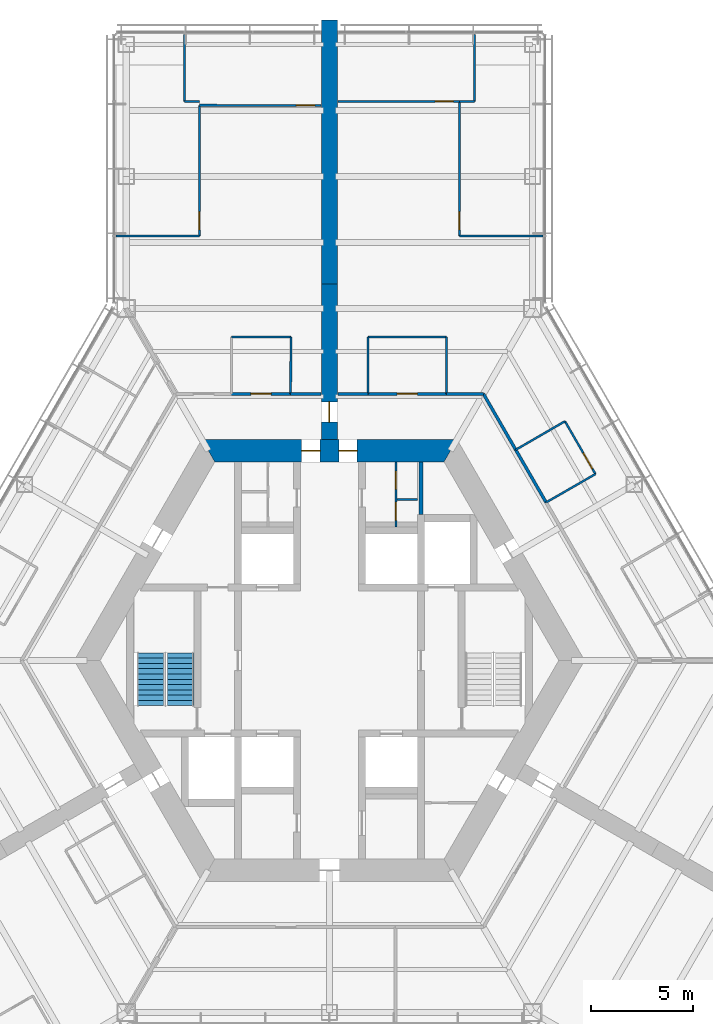
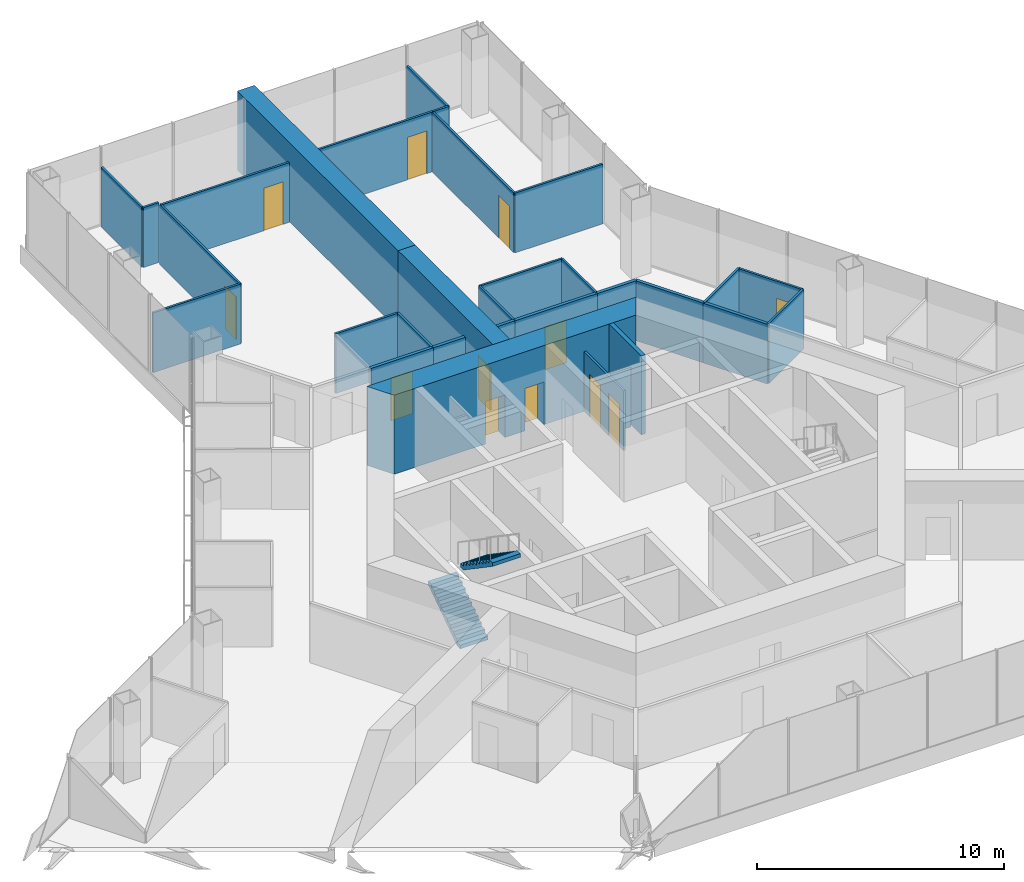
# One storey, part 15 of 18: 31 walls, 12 doors, 2 stair flights, 12 openings, 1 element without a shape of its own.
"""IFC4 building model written with IfcOpenShell, lengths in metres."""

import ifcopenshell
import ifcopenshell.guid

model = None  # the IFC model being written
_history = None  # IfcOwnerHistory: only IFC2X3 demands one
_inside = {}  # id of a spatial element -> (the spatial element, [elements in it])
_under = {}  # id of a project, library or spatial element -> (it, [spatial elements below it])
_declared = {}  # id of a project -> (the project, [libraries it declares])
_typed = {}  # id of a type object -> (the type object, [elements of that type])
_made_of = {}  # id of a material, layer set ... -> (it, [elements and type objects made of it])


def new_model(schema):
    """Start an empty IFC model of exactly this schema.

    Asked for "IFC4X3", IfcOpenShell would pick the latest addendum, in which some entities
    have other attributes; the version numbers below select the first issue.
    IFC2X3 requires an IfcOwnerHistory on every rooted entity: one is made here for all.
    """
    global model, _history
    if schema == "IFC4X3":
        model = ifcopenshell.file(schema_version=(4, 3, 0, 0))
    else:
        model = ifcopenshell.file(schema=schema)
    _inside.clear()
    _under.clear()
    _declared.clear()
    _typed.clear()
    _made_of.clear()
    _history = None
    if model.schema == "IFC2X3":
        org = make("IfcOrganization", Name="unknown")
        user = make(
            "IfcPersonAndOrganization",
            ThePerson=make("IfcPerson", FamilyName="unknown"),
            TheOrganization=org,
        )
        app = make(
            "IfcApplication",
            ApplicationDeveloper=org,
            Version="unknown",
            ApplicationFullName="unknown",
            ApplicationIdentifier="unknown",
        )
        _history = make(
            "IfcOwnerHistory",
            OwningUser=user,
            OwningApplication=app,
            ChangeAction="ADDED",
            CreationDate=0,
        )
    return model


def make(cls, **values):
    """One entity of the class cls with the attributes given. An attribute that is None is left unset."""
    return model.create_entity(
        cls, **{name: value for name, value in values.items() if value is not None}
    )


def rooted(cls, **values):
    """An entity with a GlobalId (a new one), such as an element, a storey or a relation."""
    return make(cls, GlobalId=ifcopenshell.guid.new(), OwnerHistory=_history, **values)


def si_unit(unit_type, name, prefix=None):
    """IfcSIUnit, for example si_unit("LENGTHUNIT", "METRE", prefix="MILLI")."""
    return make("IfcSIUnit", UnitType=unit_type, Prefix=prefix, Name=name)


def assignment(units):
    """IfcUnitAssignment: the units of a project."""
    return None if units is None else make("IfcUnitAssignment", Units=units)


def point(xyz):
    """IfcCartesianPoint."""
    return None if xyz is None else make("IfcCartesianPoint", Coordinates=xyz)


def direction(xyz):
    """IfcDirection."""
    return None if xyz is None else make("IfcDirection", DirectionRatios=xyz)


def frame(location, z_axis=None, x_axis=None):
    """IfcAxis2Placement3D, a coordinate frame: its origin and axes. An axis left out is left unset."""
    return make(
        "IfcAxis2Placement3D",
        Location=point(location),
        Axis=direction(z_axis),
        RefDirection=direction(x_axis),
    )


def frame_2d(location, x_axis=None):
    """IfcAxis2Placement2D, a coordinate frame in the plane: its origin and x axis."""
    return make(
        "IfcAxis2Placement2D", Location=point(location), RefDirection=direction(x_axis)
    )


def origin():
    """The frame at (0, 0, 0) with its axes left unset."""
    return frame((0.0, 0.0, 0.0))


def place(relative_to, where):
    """IfcLocalPlacement: puts the frame where relative to a parent placement (None: the world)."""
    return make(
        "IfcLocalPlacement", PlacementRelTo=relative_to, RelativePlacement=where
    )


def context(
    kind, dimensions, precision=None, world=None, true_north=None, identifier=None
):
    """IfcGeometricRepresentationContext, for example the 3D "Model" context."""
    return make(
        "IfcGeometricRepresentationContext",
        ContextIdentifier=identifier,
        ContextType=kind,
        CoordinateSpaceDimension=dimensions,
        Precision=precision,
        WorldCoordinateSystem=world,
        TrueNorth=true_north,
    )


def subcontext(parent, identifier, kind, view, scale=None):
    """IfcGeometricRepresentationSubContext, for example "Body" below "Model"."""
    return make(
        "IfcGeometricRepresentationSubContext",
        ContextIdentifier=identifier,
        ContextType=kind,
        ParentContext=parent,
        TargetScale=scale,
        TargetView=view,
    )


def project(units=None, contexts=None):
    """IfcProject with its units and contexts."""
    return rooted(
        "IfcProject",
        Name="project",
        RepresentationContexts=contexts,
        UnitsInContext=assignment(units),
    )


def spatial(cls, under=None, at=None, **own):
    """A site, building, storey or space (cls), placed at a placement, below another one or the project."""
    s = rooted(cls, ObjectPlacement=at, **own)
    if under is not None:
        _under.setdefault(under.id(), (under, []))[1].append(s)
    return s


def polyline(points):
    """IfcPolyline through the points."""
    return make("IfcPolyline", Points=[point(p) for p in points])


def profile(cls, at=None, kind="AREA", **sizes):
    """A parametric profile (cls). Its sizes go by their IFC names, for example OverallWidth=200.0."""
    return make(cls, ProfileType=kind, Position=at, **sizes)


def rectangle(**sizes):
    """IfcRectangleProfileDef."""
    return profile("IfcRectangleProfileDef", **sizes)


def outline(outer, holes=None, kind="AREA"):
    """IfcArbitraryClosedProfileDef: a profile drawn as a closed curve; with holes, ...WithVoids."""
    if holes is None:
        return make("IfcArbitraryClosedProfileDef", ProfileType=kind, OuterCurve=outer)
    return make(
        "IfcArbitraryProfileDefWithVoids",
        ProfileType=kind,
        OuterCurve=outer,
        InnerCurves=holes,
    )


def extrude(swept, where, along, depth):
    """IfcExtrudedAreaSolid: the profile swept, set in the frame where, extruded along a direction by depth."""
    return make(
        "IfcExtrudedAreaSolid",
        SweptArea=swept,
        Position=where,
        ExtrudedDirection=direction(along),
        Depth=depth,
    )


def shape(context_of_items, identifier, shape_type, items):
    """IfcShapeRepresentation: the items that make up one representation, for example the "Body"."""
    return make(
        "IfcShapeRepresentation",
        ContextOfItems=context_of_items,
        RepresentationIdentifier=identifier,
        RepresentationType=shape_type,
        Items=items,
    )


def material(Name=None, Category=None):
    """IfcMaterial."""
    return make("IfcMaterial", Name=Name, Category=Category)


def layer(
    of_material, thickness, ventilated=None, Name=None, Category=None, Priority=None
):
    """IfcMaterialLayer: one layer of a wall or slab, of a material (None: an air gap)."""
    return make(
        "IfcMaterialLayer",
        Material=of_material,
        LayerThickness=thickness,
        IsVentilated=ventilated,
        Name=Name,
        Category=Category,
        Priority=Priority,
    )


def layer_set(layers, Name=None):
    """IfcMaterialLayerSet."""
    return make("IfcMaterialLayerSet", MaterialLayers=layers, LayerSetName=Name)


def made_of(thing, what):
    """Note that an element or type object is made of a material, layer set ...; save() writes the relation."""
    if what is not None:
        _made_of.setdefault(what.id(), (what, []))[1].append(thing)
    return thing


def type_object(cls, material=None, **own):
    """A type object (cls), such as IfcWallType, which elements share."""
    return made_of(rooted(cls, **own), material)


def element(
    cls,
    number,
    at=None,
    inside=None,
    cuts=None,
    type_object=None,
    material=None,
    context=None,
    identifier="Body",
    shape_type=None,
    held_by="IfcProductDefinitionShape",
    body=None,
    shapes=None,
    **own,
):
    """One element of the class cls, such as IfcWall. Its Tag is "e" and its number.

    at: its placement. inside: the storey or other place that contains it. cuts: it is an
    opening in that element (IfcRelVoidsElement). A single representation is given by context,
    identifier, shape_type and body (its items); several are given by shapes. held_by: the class
    of the entity that holds the representations. save() writes the other relations.
    """
    e = rooted(cls, Tag="e%d" % number, ObjectPlacement=at, **own)
    if body is not None:
        shapes = [shape(context, identifier, shape_type, body)]
    if shapes is not None:
        e.Representation = make(held_by, Representations=shapes)
    if inside is not None:
        _inside.setdefault(inside.id(), (inside, []))[1].append(e)
    if cuts is not None:
        rooted(
            "IfcRelVoidsElement", RelatingBuildingElement=cuts, RelatedOpeningElement=e
        )
    if type_object is not None:
        _typed.setdefault(type_object.id(), (type_object, []))[1].append(e)
    return made_of(e, material)


def fill(opening, filler):
    """IfcRelFillsElement: the door or window that sits in an opening."""
    return rooted(
        "IfcRelFillsElement",
        RelatingOpeningElement=opening,
        RelatedBuildingElement=filler,
    )


def aggregate(whole, parts):
    """IfcRelAggregates: a whole, such as a stair, and the parts it consists of."""
    return rooted("IfcRelAggregates", RelatingObject=whole, RelatedObjects=parts)


def save(model, path):
    """Write the relations noted so far, then the file.

    IfcRelAggregates (storeys below a building ...), IfcRelContainedInSpatialStructure (elements
    in a storey), IfcRelDefinesByType, IfcRelAssociatesMaterial and IfcRelDeclares: one each for
    every whole, place, type object, material and project.
    """
    for whole, parts in _under.values():
        aggregate(whole, parts)
    for where, things in _inside.values():
        rooted(
            "IfcRelContainedInSpatialStructure",
            RelatedElements=things,
            RelatingStructure=where,
        )
    for kind, things in _typed.values():
        rooted("IfcRelDefinesByType", RelatedObjects=things, RelatingType=kind)
    for what, things in _made_of.values():
        rooted("IfcRelAssociatesMaterial", RelatedObjects=things, RelatingMaterial=what)
    for by, libraries in _declared.values():
        rooted("IfcRelDeclares", RelatingContext=by, RelatedDefinitions=libraries)
    model.write(path)


model = new_model("IFC4")

# Units and contexts
model_context = context("Model", 3, precision=1e-05, world=origin(), true_north=direction((0.0, 1.0)))
body_context = subcontext(model_context, "Body", "Model", "MODEL_VIEW")
ifc_project = project(units=[si_unit("LENGTHUNIT", "METRE"), si_unit("AREAUNIT", "SQUARE_METRE"), si_unit("VOLUMEUNIT", "CUBIC_METRE"), si_unit("PLANEANGLEUNIT", "RADIAN"), si_unit("MASSUNIT", "GRAM", prefix="KILO")], contexts=[model_context])

# Site, building, storey
site_placement = place(None, origin())
site = spatial("IfcSite", under=ifc_project, at=site_placement, CompositionType="ELEMENT")
building_placement = place(site_placement, origin())
building = spatial("IfcBuilding", under=site, at=building_placement, Name="Kasaneha Research Tower", CompositionType="ELEMENT")
storey_placement = place(building_placement, frame((0.0, 0.0, 61.199951171875)))
storey = spatial("IfcBuildingStorey", under=building, at=storey_placement, Name="L15", CompositionType="ELEMENT", Elevation=61.199951171875)

# Wall, openings, doors
ifc_material_1 = material(Name="Concrete Fc80", Category="concrete")
ifc_layer_1 = layer(ifc_material_1, 1.10009765625)
ifc_layer_set_1 = layer_set([ifc_layer_1], Name="Core wall 1100 Fc80")
wall_type_1 = type_object("IfcWallType", Name="Core wall 1100 Fc80", PredefinedType="SHEAR", material=ifc_layer_set_1)
wall_1_placement = place(storey_placement, frame((5.961181640625, 10.324951171875, 0.0), z_axis=(0.0, 0.0, 1.0), x_axis=(-1.0, 0.0, 0.0)))
wall_1 = element("IfcWall", 1, at=wall_1_placement, inside=storey, type_object=wall_type_1, Name="Core wall 090 L15", PredefinedType="SHEAR", context=body_context, shape_type="SweptSolid", body=[
    extrude(outline(polyline([(-0.317626953125, -0.550048828125), (4.5986328125, -0.550048828125), (5.49853515625, -0.550048828125), (6.423583984375, -0.550048828125), (7.323486328125, -0.550048828125), (12.239990234375, -0.550048828125), (11.604736328125, 0.550048828125), (7.323486328125, 0.550048828125), (6.423583984375, 0.550048828125), (5.49853515625, 0.550048828125), (4.5986328125, 0.550048828125), (0.317626953125, 0.550048828125), (-0.317626953125, -0.550048828125)])), origin(), (0.0, 0.0, 1.0), 3.900146484375),
])
opening_1_placement = place(wall_1_placement, frame((6.423583984375, 0.0, 0.0)))
opening_1 = element("IfcOpeningElement", 2, at=opening_1_placement, cuts=wall_1, Name="Opening L15-D01", PredefinedType="OPENING", context=body_context, shape_type="SweptSolid", body=[
    extrude(rectangle(XDim=0.89990234375, YDim=2.10009765625, at=frame_2d((0.449951171875, 1.050048828125))), frame((0.0, 0.56005859375, 0.0), z_axis=(0.0, -1.0, 0.0), x_axis=(1.0, 0.0, 0.0)), (0.0, 0.0, 1.0), 1.1201171875),
])
opening_2_placement = place(wall_1_placement, frame((4.5986328125, 0.0, 0.0)))
opening_2 = element("IfcOpeningElement", 3, at=opening_2_placement, cuts=wall_1, Name="Opening L15-D02", PredefinedType="OPENING", context=body_context, shape_type="SweptSolid", body=[
    extrude(rectangle(XDim=0.89990234375, YDim=2.10009765625, at=frame_2d((0.449951171875, 1.050048828125))), frame((0.0, 0.56005859375, 0.0), z_axis=(0.0, -1.0, 0.0), x_axis=(1.0, 0.0, 0.0)), (0.0, 0.0, 1.0), 1.1201171875),
])
ifc_material_2 = material(Name="Steel", Category="steel")
door_type_1 = type_object("IfcDoorType", Name="Toilet door FD20 900x2100", OperationType="NOTDEFINED", PredefinedType="DOOR", material=ifc_material_2)
door_1_placement = place(opening_1_placement, origin())
door_1 = element("IfcDoor", 4, at=door_1_placement, inside=storey, type_object=door_type_1, Name="Core door north 1 L15-D01", OperationType="SINGLE_SWING_RIGHT", OverallHeight=2.10009765625, OverallWidth=0.89990234375, PredefinedType="DOOR", context=body_context, shape_type="SweptSolid", body=[
    extrude(rectangle(XDim=0.89990234375, YDim=2.10009765625, at=frame_2d((0.449951171875, 1.050048828125))), frame((0.0, 0.02490234375, 0.0), z_axis=(0.0, -1.0, 0.0), x_axis=(1.0, 0.0, 0.0)), (0.0, 0.0, 1.0), 0.050048828125),
])
fill(opening_1, door_1)
door_2_placement = place(opening_2_placement, origin())
door_2 = element("IfcDoor", 5, at=door_2_placement, inside=storey, type_object=door_type_1, Name="Core door north 2 L15-D02", OperationType="SINGLE_SWING_LEFT", OverallHeight=2.10009765625, OverallWidth=0.89990234375, PredefinedType="DOOR", context=body_context, shape_type="SweptSolid", body=[
    extrude(rectangle(XDim=0.89990234375, YDim=2.10009765625, at=frame_2d((0.449951171875, 1.050048828125))), frame((0.0, 0.02490234375, 0.0), z_axis=(0.0, -1.0, 0.0), x_axis=(1.0, 0.0, 0.0)), (0.0, 0.0, 1.0), 0.050048828125),
])
fill(opening_2, door_2)

ifc_material_3 = material(Name="Gypsum board on steel studs, one layer each side", Category="steel")
ifc_layer_2 = layer(ifc_material_3, 0.10009765625)
ifc_layer_set_2 = layer_set([ifc_layer_2], Name="Office partition 100")
wall_type_2 = type_object("IfcWallType", Name="Office partition 100", PredefinedType="PARTITIONING", material=ifc_layer_set_2)
wall_2_placement = place(storey_placement, frame((3.27490234375, 6.574951171875, 0.0), z_axis=(0.0, 0.0, 1.0), x_axis=(0.0, 1.0, 0.0)))
wall_2 = element("IfcWall", 6, at=wall_2_placement, inside=storey, type_object=wall_type_2, Name="Office partition TBF1 L15", PredefinedType="PARTITIONING", context=body_context, shape_type="SweptSolid", body=[
    extrude(rectangle(XDim=3.199951171875, YDim=0.10009765625, at=frame_2d((1.60009765625, 0.0))), origin(), (0.0, 0.0, 1.0), 2.949951171875),
])
opening_3_placement = place(wall_2_placement, frame((1.85009765625, 0.0, 0.0)))
opening_3 = element("IfcOpeningElement", 7, at=opening_3_placement, cuts=wall_2, Name="Opening L15-D22", PredefinedType="OPENING", context=body_context, shape_type="SweptSolid", body=[
    extrude(rectangle(XDim=0.89990234375, YDim=2.10009765625, at=frame_2d((0.449951171875, 1.050048828125))), frame((0.0, 0.06005859375, 0.0), z_axis=(0.0, -1.0, 0.0), x_axis=(1.0, 0.0, 0.0)), (0.0, 0.0, 1.0), 0.1201171875),
])
opening_4_placement = place(wall_2_placement, frame((0.324951171875, 0.0, 0.0)))
opening_4 = element("IfcOpeningElement", 8, at=opening_4_placement, cuts=wall_2, Name="Opening L15-D23", PredefinedType="OPENING", context=body_context, shape_type="SweptSolid", body=[
    extrude(rectangle(XDim=0.89990234375, YDim=2.10009765625, at=frame_2d((0.449951171875, 1.050048828125))), frame((0.0, 0.06005859375, 0.0), z_axis=(0.0, -1.0, 0.0), x_axis=(1.0, 0.0, 0.0)), (0.0, 0.0, 1.0), 0.1201171875),
])
ifc_material_4 = material(Name="Steel", Category="steel")
door_type_2 = type_object("IfcDoorType", Name="Toilet lobby door FD30 900x2100", OperationType="NOTDEFINED", PredefinedType="DOOR", material=ifc_material_4)
door_3_placement = place(opening_3_placement, origin())
door_3 = element("IfcDoor", 9, at=door_3_placement, inside=storey, type_object=door_type_2, Name="Women's WC door L15-D22", OperationType="SINGLE_SWING_RIGHT", OverallHeight=2.10009765625, OverallWidth=0.89990234375, PredefinedType="DOOR", context=body_context, shape_type="SweptSolid", body=[
    extrude(rectangle(XDim=0.89990234375, YDim=2.10009765625, at=frame_2d((0.449951171875, 1.050048828125))), frame((0.0, 0.02490234375, 0.0), z_axis=(0.0, -1.0, 0.0), x_axis=(1.0, 0.0, 0.0)), (0.0, 0.0, 1.0), 0.050048828125),
])
fill(opening_3, door_3)
door_4_placement = place(opening_4_placement, origin())
door_4 = element("IfcDoor", 10, at=door_4_placement, inside=storey, type_object=door_type_2, Name="Cleaner's store door L15-D23", OperationType="SINGLE_SWING_RIGHT", OverallHeight=2.10009765625, OverallWidth=0.89990234375, PredefinedType="DOOR", context=body_context, shape_type="SweptSolid", body=[
    extrude(rectangle(XDim=0.89990234375, YDim=2.10009765625, at=frame_2d((0.449951171875, 1.050048828125))), frame((0.0, 0.02490234375, 0.0), z_axis=(0.0, -1.0, 0.0), x_axis=(1.0, 0.0, 0.0)), (0.0, 0.0, 1.0), 0.050048828125),
])
fill(opening_4, door_4)

# Walls
wall_3_placement = place(storey_placement, frame((3.324951171875, 7.925048828125, 0.0), z_axis=(0.0, 0.0, 1.0), x_axis=(1.0, 0.0, 0.0)))
element("IfcWall", 11, at=wall_3_placement, inside=storey, type_object=wall_type_2, Name="Office partition TBF2 L15", PredefinedType="PARTITIONING", context=body_context, shape_type="SweptSolid", body=[
    extrude(rectangle(XDim=1.0, YDim=0.10009765625, at=frame_2d((0.5, 0.0))), origin(), (0.0, 0.0, 1.0), 2.949951171875),
])
wall_4_placement = place(storey_placement, frame((1.89990234375, 15.925048828125, 0.0), z_axis=(0.0, 0.0, 1.0), x_axis=(1.0, 0.0, 0.0)))
element("IfcWall", 12, at=wall_4_placement, inside=storey, type_object=wall_type_2, Name="Office partition FAE07 L15", PredefinedType="PARTITIONING", context=body_context, shape_type="SweptSolid", body=[
    extrude(rectangle(XDim=3.857177734375, YDim=0.10009765625, at=frame_2d((1.9287109375, 0.0))), origin(), (0.0, 0.0, 1.0), 2.949951171875),
])
for number, where, z_axis, x_axis, name in (
    (13, (1.904541015625, 13.125, 0.0), (0.0, 0.0, 1.0), (-0.001656637364, 0.999998627775, 0.0), "Office partition FAE08 L15"),
    (14, (5.757080078125, 15.925048828125, 0.0), (0.0, 0.0, 1.0), (-0.001656637364, -0.999998627775, 0.0), "Office partition FAE09 L15"),
    (15, (9.168701171875, 10.369140625, 0.0), (0.0, 0.0, 1.0), (0.865255114713, 0.501331812737, 0.0), "Office partition FAE10 L15"),
):
    element("IfcWall", number, at=place(storey_placement, frame(where, z_axis=z_axis, x_axis=x_axis)), inside=storey, type_object=wall_type_2, Name=name, PredefinedType="PARTITIONING", context=body_context, shape_type="SweptSolid", body=[
        extrude(rectangle(XDim=2.800048828125, YDim=0.10009765625, at=frame_2d((1.39990234375, 0.0))), origin(), (0.0, 0.0, 1.0), 2.949951171875),
    ])

# Wall, opening, door
wall_5_placement = place(storey_placement, frame((11.591552734375, 11.77294921875, 0.0), z_axis=(0.0, 0.0, 1.0), x_axis=(0.499990139034, -0.866031096941, 0.0)))
wall_5 = element("IfcWall", 16, at=wall_5_placement, inside=storey, type_object=wall_type_2, Name="Office partition FAE11 L15", PredefinedType="PARTITIONING", context=body_context, shape_type="SweptSolid", body=[
    extrude(rectangle(XDim=3.0, YDim=0.10009765625, at=frame_2d((1.5, 0.0))), origin(), (0.0, 0.0, 1.0), 2.949951171875),
])
opening_5_placement = place(wall_5_placement, frame((1.800048828125, 0.0, 0.0)))
opening_5 = element("IfcOpeningElement", 17, at=opening_5_placement, cuts=wall_5, Name="Opening L15-D30", PredefinedType="OPENING", context=body_context, shape_type="SweptSolid", body=[
    extrude(rectangle(XDim=0.89990234375, YDim=2.10009765625, at=frame_2d((0.449951171875, 1.050048828125))), frame((0.0, 0.06005859375, 0.0), z_axis=(0.0, -1.0, 0.0), x_axis=(1.0, 0.0, 0.0)), (0.0, 0.0, 1.0), 0.1201171875),
])
ifc_material_5 = material(Name="Timber veneer", Category="wood")
door_type_3 = type_object("IfcDoorType", Name="Office door 900x2100", OperationType="SINGLE_SWING_LEFT", PredefinedType="DOOR", material=ifc_material_5)
door_5_placement = place(opening_5_placement, origin())
door_5 = element("IfcDoor", 18, at=door_5_placement, inside=storey, type_object=door_type_3, Name="Pantry door L15-D30", OperationType="SINGLE_SWING_RIGHT", OverallHeight=2.10009765625, OverallWidth=0.89990234375, PredefinedType="DOOR", context=body_context, shape_type="SweptSolid", body=[
    extrude(rectangle(XDim=0.89990234375, YDim=2.10009765625, at=frame_2d((0.449951171875, 1.050048828125))), frame((0.0, 0.02490234375, 0.0), z_axis=(0.0, -1.0, 0.0), x_axis=(1.0, 0.0, 0.0)), (0.0, 0.0, 1.0), 0.050048828125),
])
fill(opening_5, door_5)

# Walls
wall_6_placement = place(storey_placement, frame((13.091552734375, 9.1748046875, 0.0), z_axis=(0.0, 0.0, 1.0), x_axis=(-0.866855433567, -0.498559582492, 0.0)))
element("IfcWall", 19, at=wall_6_placement, inside=storey, type_object=wall_type_2, Name="Office partition FAE12 L15", PredefinedType="PARTITIONING", context=body_context, shape_type="SweptSolid", body=[
    extrude(rectangle(XDim=2.800048828125, YDim=0.10009765625, at=frame_2d((1.39990234375, 0.0))), origin(), (0.0, 0.0, 1.0), 2.949951171875),
])
wall_7_placement = place(storey_placement, frame((6.39892578125, 27.515380859375, 0.0), z_axis=(0.0, 0.0, 1.0), x_axis=(0.999975631037, 0.00698121285, 0.0)))
element("IfcWall", 20, at=wall_7_placement, inside=storey, type_object=wall_type_2, Name="Office partition FAE13 L15", PredefinedType="PARTITIONING", context=body_context, shape_type="SweptSolid", body=[
    extrude(rectangle(XDim=0.734375, YDim=0.10009765625, at=frame_2d((0.3671875, 0.0))), origin(), (0.0, 0.0, 1.0), 2.949951171875),
])
wall_8_placement = place(storey_placement, frame((7.13330078125, 27.5205078125, 0.0), z_axis=(0.0, 0.0, 1.0), x_axis=(0.000148864903, 0.99999998892, 0.0)))
element("IfcWall", 21, at=wall_8_placement, inside=storey, type_object=wall_type_2, Name="Office partition FAE14 L15", PredefinedType="PARTITIONING", context=body_context, shape_type="SweptSolid", body=[
    extrude(rectangle(XDim=3.280029296875, YDim=0.10009765625, at=frame_2d((1.64013671875, 0.0))), origin(), (0.0, 0.0, 1.0), 2.949951171875),
])

# Wall, opening, door
wall_9_placement = place(storey_placement, frame((6.39990234375, 20.89111328125, 0.0), z_axis=(0.0, 0.0, 1.0), x_axis=(0.000626104768, 0.999999803996, 0.0)))
wall_9 = element("IfcWall", 22, at=wall_9_placement, inside=storey, type_object=wall_type_2, Name="Office partition FAE15 L15", PredefinedType="PARTITIONING", context=body_context, shape_type="SweptSolid", body=[
    extrude(rectangle(XDim=6.62890625, YDim=0.10009765625, at=frame_2d((3.314453125, 0.0))), origin(), (0.0, 0.0, 1.0), 2.949951171875),
])
opening_6_placement = place(wall_9_placement, frame((0.300048828125, 0.0, 0.0)))
opening_6 = element("IfcOpeningElement", 23, at=opening_6_placement, cuts=wall_9, Name="Opening L15-D31", PredefinedType="OPENING", context=body_context, shape_type="SweptSolid", body=[
    extrude(rectangle(XDim=0.89990234375, YDim=2.10009765625, at=frame_2d((0.449951171875, 1.050048828125))), frame((0.0, 0.06005859375, 0.0), z_axis=(0.0, -1.0, 0.0), x_axis=(1.0, 0.0, 0.0)), (0.0, 0.0, 1.0), 0.1201171875),
])
door_6_placement = place(opening_6_placement, origin())
door_6 = element("IfcDoor", 24, at=door_6_placement, inside=storey, type_object=door_type_3, Name="Project room door L15-D31", OperationType="SINGLE_SWING_LEFT", OverallHeight=2.10009765625, OverallWidth=0.89990234375, PredefinedType="DOOR", context=body_context, shape_type="SweptSolid", body=[
    extrude(rectangle(XDim=0.89990234375, YDim=2.10009765625, at=frame_2d((0.449951171875, 1.050048828125))), frame((0.0, 0.02490234375, 0.0), z_axis=(0.0, -1.0, 0.0), x_axis=(1.0, 0.0, 0.0)), (0.0, 0.0, 1.0), 0.050048828125),
])
fill(opening_6, door_6)

# Wall
wall_10_placement = place(storey_placement, frame((10.5, 20.89111328125, 0.0), z_axis=(0.0, 0.0, 1.0), x_axis=(-1.0, 0.0, 0.0)))
element("IfcWall", 25, at=wall_10_placement, inside=storey, type_object=wall_type_2, Name="Office partition FAE16 L15", PredefinedType="PARTITIONING", context=body_context, shape_type="SweptSolid", body=[
    extrude(rectangle(XDim=4.10009765625, YDim=0.10009765625, at=frame_2d((2.050048828125, 0.0))), origin(), (0.0, 0.0, 1.0), 2.949951171875),
])

# Wall, opening, door
wall_11_placement = place(storey_placement, frame((6.404052734375, 27.5205078125, 0.0), z_axis=(0.0, 0.0, 1.0), x_axis=(-1.0, 0.0, 0.0)))
wall_11 = element("IfcWall", 26, at=wall_11_placement, inside=storey, type_object=wall_type_2, Name="Office partition FAE17 L15", PredefinedType="PARTITIONING", context=body_context, shape_type="SweptSolid", body=[
    extrude(rectangle(XDim=5.984130859375, YDim=0.10009765625, at=frame_2d((2.9921875, 0.0))), origin(), (0.0, 0.0, 1.0), 2.949951171875),
])
opening_7_placement = place(wall_11_placement, frame((0.300048828125, 0.0, 0.0)))
opening_7 = element("IfcOpeningElement", 27, at=opening_7_placement, cuts=wall_11, Name="Opening L15-D32", PredefinedType="OPENING", context=body_context, shape_type="SweptSolid", body=[
    extrude(rectangle(XDim=0.89990234375, YDim=2.10009765625, at=frame_2d((0.449951171875, 1.050048828125))), frame((0.0, 0.06005859375, 0.0), z_axis=(0.0, -1.0, 0.0), x_axis=(1.0, 0.0, 0.0)), (0.0, 0.0, 1.0), 0.1201171875),
])
door_7_placement = place(opening_7_placement, origin())
door_7 = element("IfcDoor", 28, at=door_7_placement, inside=storey, type_object=door_type_3, Name="Meeting room door L15-D32", OperationType="SINGLE_SWING_LEFT", OverallHeight=2.10009765625, OverallWidth=0.89990234375, PredefinedType="DOOR", context=body_context, shape_type="SweptSolid", body=[
    extrude(rectangle(XDim=0.89990234375, YDim=2.10009765625, at=frame_2d((0.449951171875, 1.050048828125))), frame((0.0, 0.02490234375, 0.0), z_axis=(0.0, -1.0, 0.0), x_axis=(1.0, 0.0, 0.0)), (0.0, 0.0, 1.0), 0.050048828125),
])
fill(opening_7, door_7)

# Walls
wall_12_placement = place(storey_placement, frame((-4.8291015625, 15.925048828125, 0.0), z_axis=(0.0, 0.0, 1.0), x_axis=(1.0, 0.0, 0.0)))
element("IfcWall", 29, at=wall_12_placement, inside=storey, type_object=wall_type_2, Name="Office partition FAW04 L15", PredefinedType="PARTITIONING", context=body_context, shape_type="SweptSolid", body=[
    extrude(rectangle(XDim=2.92919921875, YDim=0.10009765625, at=frame_2d((1.464599609375, 0.0))), origin(), (0.0, 0.0, 1.0), 2.949951171875),
])
wall_13_placement = place(storey_placement, frame((-1.89990234375, 15.925048828125, 0.0), z_axis=(0.0, 0.0, 1.0), x_axis=(-0.001656637364, -0.999998627775, 0.0)))
element("IfcWall", 30, at=wall_13_placement, inside=storey, type_object=wall_type_2, Name="Office partition FAW06 L15", PredefinedType="PARTITIONING", context=body_context, shape_type="SweptSolid", body=[
    extrude(rectangle(XDim=2.800048828125, YDim=0.10009765625, at=frame_2d((1.39990234375, 0.0))), origin(), (0.0, 0.0, 1.0), 2.949951171875),
])
wall_14_placement = place(storey_placement, frame((-7.1337890625, 27.5107421875, 0.0), z_axis=(0.0, 0.0, 1.0), x_axis=(1.0, 0.0, 0.0)))
element("IfcWall", 31, at=wall_14_placement, inside=storey, type_object=wall_type_2, Name="Office partition FAW07 L15", PredefinedType="PARTITIONING", context=body_context, shape_type="SweptSolid", body=[
    extrude(rectangle(XDim=0.73388671875, YDim=0.10009765625, at=frame_2d((0.366943359375, 0.0))), origin(), (0.0, 0.0, 1.0), 2.949951171875),
])
wall_15_placement = place(storey_placement, frame((-7.1337890625, 30.800537109375, 0.0), z_axis=(0.0, 0.0, 1.0), x_axis=(0.0, -1.0, 0.0)))
element("IfcWall", 32, at=wall_15_placement, inside=storey, type_object=wall_type_2, Name="Office partition FAW08 L15", PredefinedType="PARTITIONING", context=body_context, shape_type="SweptSolid", body=[
    extrude(rectangle(XDim=3.289794921875, YDim=0.10009765625, at=frame_2d((1.64501953125, 0.0))), origin(), (0.0, 0.0, 1.0), 2.949951171875),
])
wall_16_placement = place(storey_placement, frame((-6.39990234375, 20.89111328125, 0.0), z_axis=(0.0, 0.0, 1.0), x_axis=(-1.0, 0.0, 0.0)))
element("IfcWall", 33, at=wall_16_placement, inside=storey, type_object=wall_type_2, Name="Office partition FAW09 L15", PredefinedType="PARTITIONING", context=body_context, shape_type="SweptSolid", body=[
    extrude(rectangle(XDim=4.10009765625, YDim=0.10009765625, at=frame_2d((2.050048828125, 0.0))), origin(), (0.0, 0.0, 1.0), 2.949951171875),
])

# Wall, opening, door
wall_17_placement = place(storey_placement, frame((-6.39990234375, 27.324951171875, 0.0), z_axis=(0.0, 0.0, 1.0), x_axis=(0.0, -1.0, 0.0)))
wall_17 = element("IfcWall", 34, at=wall_17_placement, inside=storey, type_object=wall_type_2, Name="Office partition FAW10 L15", PredefinedType="PARTITIONING", context=body_context, shape_type="SweptSolid", body=[
    extrude(rectangle(XDim=6.433837890625, YDim=0.10009765625, at=frame_2d((3.216796875, 0.0))), origin(), (0.0, 0.0, 1.0), 2.949951171875),
])
opening_8_placement = place(wall_17_placement, frame((5.23388671875, 0.0, 0.0)))
opening_8 = element("IfcOpeningElement", 35, at=opening_8_placement, cuts=wall_17, Name="Opening L15-D37", PredefinedType="OPENING", context=body_context, shape_type="SweptSolid", body=[
    extrude(rectangle(XDim=0.89990234375, YDim=2.10009765625, at=frame_2d((0.449951171875, 1.050048828125))), frame((0.0, 0.06005859375, 0.0), z_axis=(0.0, -1.0, 0.0), x_axis=(1.0, 0.0, 0.0)), (0.0, 0.0, 1.0), 0.1201171875),
])
door_8_placement = place(opening_8_placement, origin())
door_8 = element("IfcDoor", 36, at=door_8_placement, inside=storey, type_object=door_type_3, Name="Project room door L15-D37", OperationType="SINGLE_SWING_RIGHT", OverallHeight=2.10009765625, OverallWidth=0.89990234375, PredefinedType="DOOR", context=body_context, shape_type="SweptSolid", body=[
    extrude(rectangle(XDim=0.89990234375, YDim=2.10009765625, at=frame_2d((0.449951171875, 1.050048828125))), frame((0.0, 0.02490234375, 0.0), z_axis=(0.0, -1.0, 0.0), x_axis=(1.0, 0.0, 0.0)), (0.0, 0.0, 1.0), 0.050048828125),
])
fill(opening_8, door_8)

wall_18_placement = place(storey_placement, frame((-0.419921875, 27.320556640625, 0.0), z_axis=(0.0, 0.0, 1.0), x_axis=(-0.99999972998, 0.000734873648, 0.0)))
wall_18 = element("IfcWall", 37, at=wall_18_placement, inside=storey, type_object=wall_type_2, Name="Office partition FAW11 L15", PredefinedType="PARTITIONING", context=body_context, shape_type="SweptSolid", body=[
    extrude(rectangle(XDim=5.97998046875, YDim=0.10009765625, at=frame_2d((2.989990234375, 0.0))), origin(), (0.0, 0.0, 1.0), 2.949951171875),
])
opening_9_placement = place(wall_18_placement, frame((0.300048828125, 0.0, 0.0)))
opening_9 = element("IfcOpeningElement", 38, at=opening_9_placement, cuts=wall_18, Name="Opening L15-D38", PredefinedType="OPENING", context=body_context, shape_type="SweptSolid", body=[
    extrude(rectangle(XDim=0.89990234375, YDim=2.10009765625, at=frame_2d((0.449951171875, 1.050048828125))), frame((0.0, 0.06005859375, 0.0), z_axis=(0.0, -1.0, 0.0), x_axis=(1.0, 0.0, 0.0)), (0.0, 0.0, 1.0), 0.1201171875),
])
door_9_placement = place(opening_9_placement, origin())
door_9 = element("IfcDoor", 39, at=door_9_placement, inside=storey, type_object=door_type_3, Name="Meeting room door L15-D38", OperationType="SINGLE_SWING_LEFT", OverallHeight=2.10009765625, OverallWidth=0.89990234375, PredefinedType="DOOR", context=body_context, shape_type="SweptSolid", body=[
    extrude(rectangle(XDim=0.89990234375, YDim=2.10009765625, at=frame_2d((0.449951171875, 1.050048828125))), frame((0.0, 0.02490234375, 0.0), z_axis=(0.0, -1.0, 0.0), x_axis=(1.0, 0.0, 0.0)), (0.0, 0.0, 1.0), 0.050048828125),
])
fill(opening_9, door_9)

# Wall
ifc_material_6 = material(Name="Concrete block", Category="concrete")
ifc_layer_3 = layer(ifc_material_6, 0.199951171875)
ifc_layer_set_3 = layer_set([ifc_layer_3], Name="Riser enclosure wall 200")
wall_type_3 = type_object("IfcWallType", Name="Riser enclosure wall 200", PredefinedType="STANDARD", material=ifc_layer_set_3)
wall_19_placement = place(storey_placement, frame((4.5, 7.175048828125, 0.0), z_axis=(0.0, 0.0, 1.0), x_axis=(0.0, 1.0, 0.0)))
element("IfcWall", 40, at=wall_19_placement, inside=storey, type_object=wall_type_3, Name="Riser enclosure wall L15", PredefinedType="STANDARD", context=body_context, shape_type="SweptSolid", body=[
    extrude(rectangle(XDim=2.599853515625, YDim=0.199951171875, at=frame_2d((1.2998046875, 0.0))), origin(), (0.0, 0.0, 1.0), 3.900146484375),
])

# Wall, opening, door
ifc_material_7 = material(Name="Concrete Fc80", Category="concrete")
ifc_layer_4 = layer(ifc_material_7, 0.800048828125)
ifc_layer_set_4 = layer_set([ifc_layer_4], Name="Spine wall 800 Fc80")
wall_type_4 = type_object("IfcWallType", Name="Spine wall 800 Fc80", PredefinedType="SHEAR", material=ifc_layer_set_4)
wall_20_placement = place(storey_placement, frame((0.0, 10.875, 0.0), z_axis=(0.0, 0.0, 1.0), x_axis=(0.0, 1.0, 0.0)))
wall_20 = element("IfcWall", 41, at=wall_20_placement, inside=storey, type_object=wall_type_4, Name="Spine wall A L15", PredefinedType="SHEAR", context=body_context, shape_type="SweptSolid", body=[
    extrude(rectangle(XDim=7.6455078125, YDim=0.800048828125, at=frame_2d((3.82275390625, 0.0))), origin(), (0.0, 0.0, 1.0), 3.900146484375),
])
opening_10_placement = place(wall_20_placement, frame((0.85009765625, 0.0, 0.0)))
opening_10 = element("IfcOpeningElement", 42, at=opening_10_placement, cuts=wall_20, Name="Opening L15-D17", PredefinedType="OPENING", context=body_context, shape_type="SweptSolid", body=[
    extrude(rectangle(XDim=1.0, YDim=2.10009765625, at=frame_2d((0.5, 1.050048828125))), frame((0.0, 0.41015625, 0.0), z_axis=(0.0, -1.0, 0.0), x_axis=(1.0, 0.0, 0.0)), (0.0, 0.0, 1.0), 0.820068359375),
])
ifc_material_8 = material(Name="Steel", Category="steel")
door_type_4 = type_object("IfcDoorType", Name="Specified fire door FD60 1000x2100", OperationType="NOTDEFINED", PredefinedType="DOOR", material=ifc_material_8)
door_10_placement = place(opening_10_placement, origin())
door_10 = element("IfcDoor", 43, at=door_10_placement, inside=storey, type_object=door_type_4, Name="Spine doorway A L15-D17", OperationType="SINGLE_SWING_LEFT", OverallHeight=2.10009765625, OverallWidth=1.0, PredefinedType="DOOR", context=body_context, shape_type="SweptSolid", body=[
    extrude(rectangle(XDim=1.0, YDim=2.10009765625, at=frame_2d((0.5, 1.050048828125))), frame((0.0, 0.02490234375, 0.0), z_axis=(0.0, -1.0, 0.0), x_axis=(1.0, 0.0, 0.0)), (0.0, 0.0, 1.0), 0.050048828125),
])
fill(opening_10, door_10)

# Wall
wall_21_placement = place(storey_placement, frame((0.0, 18.5205078125, 0.0), z_axis=(0.0, 0.0, 1.0), x_axis=(0.0, 1.0, 0.0)))
element("IfcWall", 44, at=wall_21_placement, inside=storey, type_object=wall_type_4, Name="Spine wall A wing L15", PredefinedType="SHEAR", context=body_context, shape_type="SweptSolid", body=[
    extrude(rectangle(XDim=13.0, YDim=0.800048828125, at=frame_2d((6.5, 0.0))), origin(), (0.0, 0.0, 1.0), 3.900146484375),
])

# Wall, opening, door
ifc_material_9 = material(Name="Gypsum board on steel studs, two layers each side", Category="steel")
ifc_layer_5 = layer(ifc_material_9, 0.14990234375)
ifc_layer_set_5 = layer_set([ifc_layer_5], Name="Suite partition 150")
wall_type_5 = type_object("IfcWallType", Name="Suite partition 150", PredefinedType="PARTITIONING", material=ifc_layer_set_5)
wall_22_placement = place(storey_placement, frame((1.89501953125, 13.125, 0.0), z_axis=(0.0, 0.0, 1.0), x_axis=(1.0, 0.0, 0.0)))
wall_22 = element("IfcWall", 45, at=wall_22_placement, inside=storey, type_object=wall_type_5, Name="Suite partition FAE01 L15", PredefinedType="PARTITIONING", context=body_context, shape_type="SweptSolid", body=[
    extrude(rectangle(XDim=3.866943359375, YDim=0.14990234375, at=frame_2d((1.93359375, 0.0))), origin(), (0.0, 0.0, 1.0), 2.949951171875),
])
opening_11_placement = place(wall_22_placement, frame((1.43359375, 0.0, 0.0)))
opening_11 = element("IfcOpeningElement", 46, at=opening_11_placement, cuts=wall_22, Name="Opening L15-D28", PredefinedType="OPENING", context=body_context, shape_type="SweptSolid", body=[
    extrude(rectangle(XDim=1.0, YDim=2.10009765625, at=frame_2d((0.5, 1.050048828125))), frame((0.0, 0.0849609375, 0.0), z_axis=(0.0, -1.0, 0.0), x_axis=(1.0, 0.0, 0.0)), (0.0, 0.0, 1.0), 0.169921875),
])
ifc_material_10 = material(Name="Steel", Category="steel")
door_type_5 = type_object("IfcDoorType", Name="Suite entrance door FD60 1000x2100", OperationType="NOTDEFINED", PredefinedType="DOOR", material=ifc_material_10)
door_11_placement = place(opening_11_placement, origin())
door_11 = element("IfcDoor", 47, at=door_11_placement, inside=storey, type_object=door_type_5, Name="Suite entrance door L15-D28", OperationType="SINGLE_SWING_LEFT", OverallHeight=2.10009765625, OverallWidth=1.0, PredefinedType="DOOR", context=body_context, shape_type="SweptSolid", body=[
    extrude(rectangle(XDim=1.0, YDim=2.10009765625, at=frame_2d((0.5, 1.050048828125))), frame((0.0, 0.02490234375, 0.0), z_axis=(0.0, -1.0, 0.0), x_axis=(1.0, 0.0, 0.0)), (0.0, 0.0, 1.0), 0.050048828125),
])
fill(opening_11, door_11)

# Walls
wall_23_placement = place(storey_placement, frame((9.1640625, 10.377197265625, 0.0), z_axis=(0.0, 0.0, 1.0), x_axis=(0.500038395149, -0.8660032352, 0.0)))
element("IfcWall", 48, at=wall_23_placement, inside=storey, type_object=wall_type_5, Name="Suite partition FAE02 L15", PredefinedType="PARTITIONING", context=body_context, shape_type="SweptSolid", body=[
    extrude(rectangle(XDim=3.010009765625, YDim=0.14990234375, at=frame_2d((1.5048828125, 0.0))), origin(), (0.0, 0.0, 1.0), 2.949951171875),
])
wall_24_placement = place(storey_placement, frame((0.419921875, 13.125, 0.0), z_axis=(0.0, 0.0, 1.0), x_axis=(1.0, 0.0, 0.0)))
element("IfcWall", 49, at=wall_24_placement, inside=storey, type_object=wall_type_5, Name="Suite partition FAE03 L15", PredefinedType="PARTITIONING", context=body_context, shape_type="SweptSolid", body=[
    extrude(rectangle(XDim=1.484619140625, YDim=0.14990234375, at=frame_2d((0.7421875, 0.0))), origin(), (0.0, 0.0, 1.0), 2.949951171875),
])
wall_25_placement = place(storey_placement, frame((5.75244140625, 13.125, 0.0), z_axis=(0.0, 0.0, 1.0), x_axis=(1.0, 0.0, 0.0)))
element("IfcWall", 50, at=wall_25_placement, inside=storey, type_object=wall_type_5, Name="Suite partition FAE04 L15", PredefinedType="PARTITIONING", context=body_context, shape_type="SweptSolid", body=[
    extrude(rectangle(XDim=1.8251953125, YDim=0.14990234375, at=frame_2d((0.91259765625, 0.0))), origin(), (0.0, 0.0, 1.0), 2.949951171875),
])
wall_26_placement = place(storey_placement, frame((7.57763671875, 13.125, 0.0), z_axis=(0.0, 0.0, 1.0), x_axis=(0.499992528944, -0.866029717158, 0.0)))
element("IfcWall", 51, at=wall_26_placement, inside=storey, type_object=wall_type_5, Name="Suite partition FAE05 L15", PredefinedType="PARTITIONING", context=body_context, shape_type="SweptSolid", body=[
    extrude(rectangle(XDim=3.18212890625, YDim=0.14990234375, at=frame_2d((1.591064453125, 0.0))), origin(), (0.0, 0.0, 1.0), 2.949951171875),
])

# Wall, opening, door
wall_27_placement = place(storey_placement, frame((-4.833984375, 13.125, 0.0), z_axis=(0.0, 0.0, 1.0), x_axis=(1.0, 0.0, 0.0)))
wall_27 = element("IfcWall", 52, at=wall_27_placement, inside=storey, type_object=wall_type_5, Name="Suite partition FAW01 L15", PredefinedType="PARTITIONING", context=body_context, shape_type="SweptSolid", body=[
    extrude(rectangle(XDim=2.93896484375, YDim=0.14990234375, at=frame_2d((1.469482421875, 0.0))), origin(), (0.0, 0.0, 1.0), 2.949951171875),
])
opening_12_placement = place(wall_27_placement, frame((0.969482421875, 0.0, 0.0)))
opening_12 = element("IfcOpeningElement", 53, at=opening_12_placement, cuts=wall_27, Name="Opening L15-D35", PredefinedType="OPENING", context=body_context, shape_type="SweptSolid", body=[
    extrude(rectangle(XDim=1.0, YDim=2.10009765625, at=frame_2d((0.5, 1.050048828125))), frame((0.0, 0.0849609375, 0.0), z_axis=(0.0, -1.0, 0.0), x_axis=(1.0, 0.0, 0.0)), (0.0, 0.0, 1.0), 0.169921875),
])
door_12_placement = place(opening_12_placement, origin())
door_12 = element("IfcDoor", 54, at=door_12_placement, inside=storey, type_object=door_type_5, Name="Suite entrance door L15-D35", OperationType="SINGLE_SWING_RIGHT", OverallHeight=2.10009765625, OverallWidth=1.0, PredefinedType="DOOR", context=body_context, shape_type="SweptSolid", body=[
    extrude(rectangle(XDim=1.0, YDim=2.10009765625, at=frame_2d((0.5, 1.050048828125))), frame((0.0, 0.02490234375, 0.0), z_axis=(0.0, -1.0, 0.0), x_axis=(1.0, 0.0, 0.0)), (0.0, 0.0, 1.0), 0.050048828125),
])
fill(opening_12, door_12)

# Wall
wall_28_placement = place(storey_placement, frame((-1.904541015625, 13.125, 0.0), z_axis=(0.0, 0.0, 1.0), x_axis=(1.0, 0.0, 0.0)))
element("IfcWall", 55, at=wall_28_placement, inside=storey, type_object=wall_type_5, Name="Suite partition FAW03 L15", PredefinedType="PARTITIONING", context=body_context, shape_type="SweptSolid", body=[
    extrude(rectangle(XDim=1.484619140625, YDim=0.14990234375, at=frame_2d((0.7421875, 0.0))), origin(), (0.0, 0.0, 1.0), 2.949951171875),
])

# Stair, stair flights
ifc_material_11 = material(Name="Concrete Fc24", Category="concrete")
stair_type = type_object("IfcStairType", Name="Half-turn stair 22 risers", PredefinedType="HALF_TURN_STAIR", material=ifc_material_11)
stair_placement = place(storey_placement, origin())
stair = element("IfcStair", 56, at=stair_placement, inside=storey, type_object=stair_type, Name="Stair 2 L15", PredefinedType="HALF_TURN_STAIR")
ifc_material_12 = material(Name="Concrete Fc24", Category="concrete")
stair_flight_type = type_object("IfcStairFlightType", Name="Stair flight 11 risers 177.3", PredefinedType="STRAIGHT", material=ifc_material_12)
stair_flight_1_placement = place(storey_placement, frame((-8.824951171875, -2.22509765625, 0.0), z_axis=(0.0, 0.0, 1.0), x_axis=(0.0, 1.0, 0.0)))
stair_flight_1 = element("IfcStairFlight", 57, at=stair_flight_1_placement, type_object=stair_flight_type, Name="ST2-22R flight 1", NumberOfRisers=11, NumberOfTreads=10, PredefinedType="STRAIGHT", RiserHeight=0.177272727, TreadLength=0.26, context=body_context, shape_type="SweptSolid", body=[
    extrude(outline(polyline([(0.0, 0.0), (0.0, 0.17724609375), (0.260009765625, 0.17724609375), (0.260009765625, 0.3544921875), (0.52001953125, 0.3544921875), (0.52001953125, 0.53173828125), (0.780029296875, 0.53173828125), (0.780029296875, 0.708984375), (1.0400390625, 0.708984375), (1.0400390625, 0.886474609375), (1.300048828125, 0.886474609375), (1.300048828125, 1.063720703125), (1.56005859375, 1.063720703125), (1.56005859375, 1.240966796875), (1.820068359375, 1.240966796875), (1.820068359375, 1.418212890625), (2.080078125, 1.418212890625), (2.080078125, 1.595458984375), (2.340087890625, 1.595458984375), (2.340087890625, 1.772705078125), (2.60009765625, 1.772705078125), (2.60009765625, 1.949951171875), (2.60009765625, 1.59130859375), (0.26611328125, 0.0), (0.0, 0.0)])), frame((0.0, 0.64990234375, 0.0), z_axis=(0.0, -1.0, 0.0), x_axis=(1.0, 0.0, 0.0)), (0.0, 0.0, 1.0), 1.300048828125),
])
stair_flight_2_placement = place(storey_placement, frame((-7.324951171875, 0.375, 1.949951171875), z_axis=(0.0, 0.0, 1.0), x_axis=(0.0, -1.0, 0.0)))
stair_flight_2 = element("IfcStairFlight", 58, at=stair_flight_2_placement, type_object=stair_flight_type, Name="ST2-22R flight 2", NumberOfRisers=11, NumberOfTreads=10, PredefinedType="STRAIGHT", RiserHeight=0.177272727, TreadLength=0.26, context=body_context, shape_type="SweptSolid", body=[
    extrude(outline(polyline([(0.0, 0.0), (0.0, 0.17724609375), (0.260009765625, 0.17724609375), (0.260009765625, 0.3544921875), (0.52001953125, 0.3544921875), (0.52001953125, 0.53173828125), (0.780029296875, 0.53173828125), (0.780029296875, 0.708984375), (1.0400390625, 0.708984375), (1.0400390625, 0.886474609375), (1.300048828125, 0.886474609375), (1.300048828125, 1.063720703125), (1.56005859375, 1.063720703125), (1.56005859375, 1.240966796875), (1.820068359375, 1.240966796875), (1.820068359375, 1.418212890625), (2.080078125, 1.418212890625), (2.080078125, 1.595458984375), (2.340087890625, 1.595458984375), (2.340087890625, 1.772705078125), (2.60009765625, 1.772705078125), (2.60009765625, 1.949951171875), (2.60009765625, 1.59130859375), (0.26611328125, 0.0), (0.0, 0.0)])), frame((0.0, 0.64990234375, 0.0), z_axis=(0.0, -1.0, 0.0), x_axis=(1.0, 0.0, 0.0)), (0.0, 0.0, 1.0), 1.300048828125),
])
aggregate(stair, [stair_flight_1, stair_flight_2])

save(model, "model.ifc")
